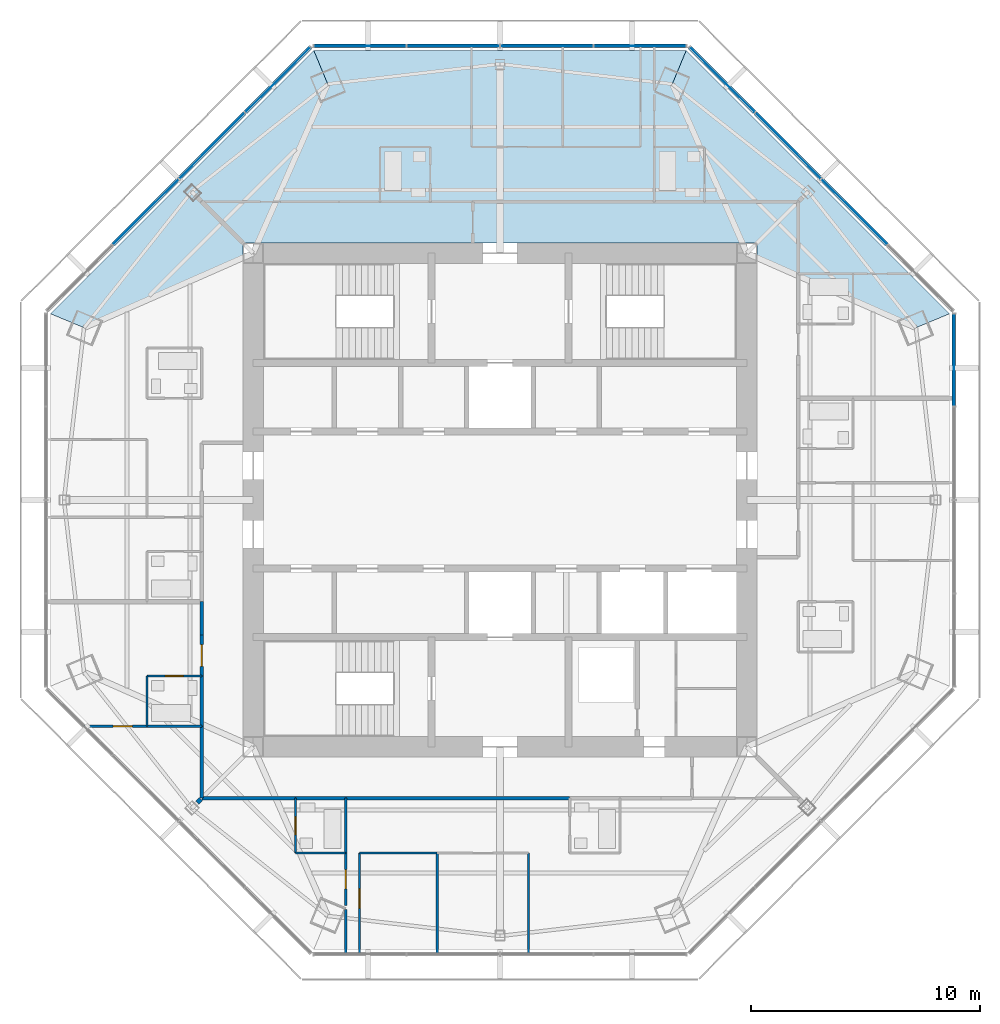
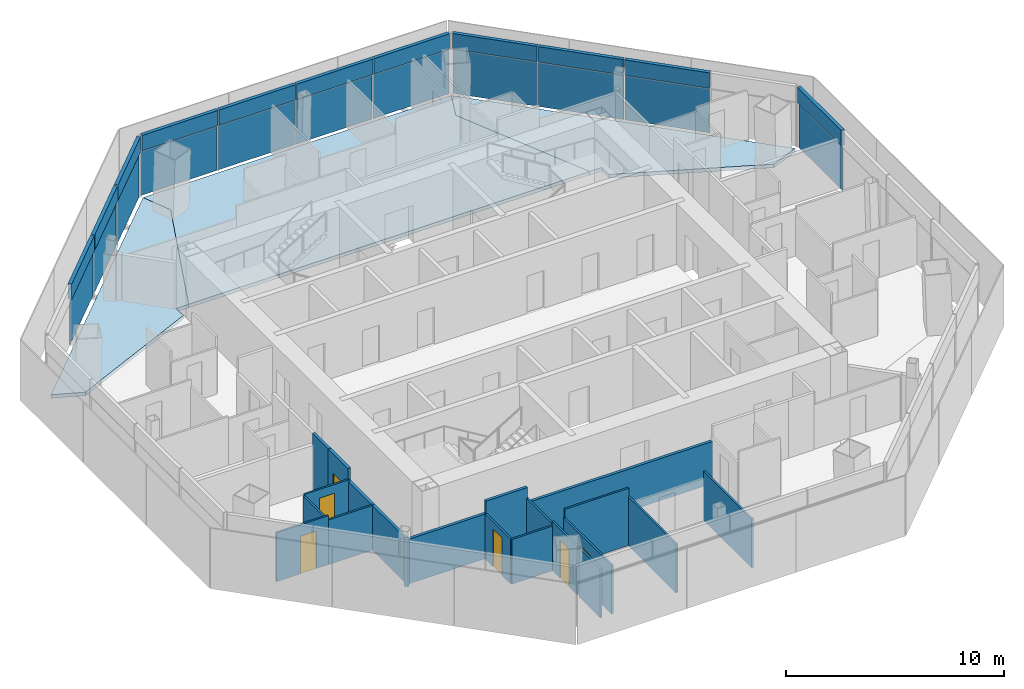
# One storey, part 8 of 14: 22 plates, 21 walls, 6 doors, 3 slabs, 6 openings, 4 elements without a shape of their own.
"""IFC4 building model written with IfcOpenShell, lengths in metres."""

from ifc_helpers import new_model, si_unit, direction, frame, frame_2d, origin, origin_2d, place, context, subcontext, project, spatial, polyline, rectangle, outline, extrude, source, transform, mapped, material, layer, layer_set, type_object, type_shapes, element, fill, aggregate, save


model = new_model("IFC4")

# Units and contexts
model_context = context("Model", 3, precision=1e-05, world=origin(), true_north=direction((0.0, 1.0)))
body_context = subcontext(model_context, "Body", "Model", "MODEL_VIEW")
ifc_project = project(units=[si_unit("LENGTHUNIT", "METRE"), si_unit("AREAUNIT", "SQUARE_METRE"), si_unit("VOLUMEUNIT", "CUBIC_METRE"), si_unit("PLANEANGLEUNIT", "RADIAN"), si_unit("MASSUNIT", "GRAM", prefix="KILO")], contexts=[model_context])

# Site, building, storey
site_placement = place(None, origin())
site = spatial("IfcSite", under=ifc_project, at=site_placement, CompositionType="ELEMENT")
building_placement = place(site_placement, origin())
building = spatial("IfcBuilding", under=site, at=building_placement, Name="Mashrafa Tower", CompositionType="ELEMENT")
storey_placement = place(building_placement, frame((0.0, 0.0, 287.800048828125)))
storey = spatial("IfcBuildingStorey", under=building, at=storey_placement, Name="L70", CompositionType="ELEMENT", Elevation=287.800048828125)

# Slabs
ifc_material_1 = material(Name="Concrete C35/45", Category="concrete")
ifc_layer_1 = layer(ifc_material_1, 0.199951171875)
ifc_layer_set_1 = layer_set([ifc_layer_1], Name="Floor slab 200")
slab_type = type_object("IfcSlabType", Name="Floor slab 200", PredefinedType="FLOOR", material=ifc_layer_set_1)
slab_1_placement = place(storey_placement, frame((0.0, 0.0, -0.199951171875)))
element("IfcSlab", 1, at=slab_1_placement, inside=storey, type_object=slab_type, Name="Floor slab L70 north-east bay", PredefinedType="FLOOR", context=body_context, shape_type="SweptSolid", body=[
    extrude(outline(polyline([(19.67333984375, 8.14892578125), (18.20068359375, 7.5390625), (11.25, 10.601806640625), (11.25, 11.25), (10.601806640625, 11.25), (7.5390625, 18.20068359375), (8.14892578125, 19.67333984375), (19.67333984375, 8.14892578125)])), origin(), (0.0, 0.0, 1.0), 0.199951171875),
])
slab_2_placement = place(storey_placement, frame((0.0, 0.0, -0.199951171875)))
element("IfcSlab", 2, at=slab_2_placement, inside=storey, type_object=slab_type, Name="Floor slab L70 north bay", PredefinedType="FLOOR", context=body_context, shape_type="SweptSolid", body=[
    extrude(outline(polyline([(-8.14892578125, 19.67333984375), (8.14892578125, 19.67333984375), (8.14892578125, 19.67333984375), (7.5390625, 18.20068359375), (10.601806640625, 11.25), (-10.601806640625, 11.25), (-7.5390625, 18.20068359375), (-8.14892578125, 19.67333984375), (-8.14892578125, 19.67333984375)])), origin(), (0.0, 0.0, 1.0), 0.199951171875),
])
slab_3_placement = place(storey_placement, frame((0.0, 0.0, -0.199951171875)))
element("IfcSlab", 3, at=slab_3_placement, inside=storey, type_object=slab_type, Name="Floor slab L70 north-west bay", PredefinedType="FLOOR", context=body_context, shape_type="SweptSolid", body=[
    extrude(outline(polyline([(-8.14892578125, 19.67333984375), (-7.5390625, 18.20068359375), (-10.601806640625, 11.25), (-11.25, 11.25), (-11.25, 10.601806640625), (-18.20068359375, 7.5390625), (-19.67333984375, 8.14892578125), (-8.14892578125, 19.67333984375)])), origin(), (0.0, 0.0, 1.0), 0.199951171875),
])

# Curtain wall, plate
ifc_material_2 = material(Name="Unitised aluminium curtain wall", Category="aluminium")
curtain_wall_type = type_object("IfcCurtainWallType", Name="Apartment curtain wall, zone 4 CW-D 160 deep", PredefinedType="NOTDEFINED", material=ifc_material_2)
curtain_wall_1_placement = place(storey_placement, origin())
curtain_wall_1 = element("IfcCurtainWall", 4, at=curtain_wall_1_placement, inside=storey, type_object=curtain_wall_type, Name="Apartment curtain wall, zone 4 L70 east", PredefinedType="NOTDEFINED")
ifc_material_3 = material(Name="Insulated double glazing, acoustic", Category="glass")
ifc_layer_2 = layer(ifc_material_3, 0.028076171875)
ifc_layer_set_2 = layer_set([ifc_layer_2], Name="Vision panel CW-D 28")
plate_type_1 = type_object("IfcPlateType", Name="Vision panel CW-D 28", PredefinedType="CURTAIN_PANEL", material=ifc_layer_set_2)
shared_shape_1 = source(origin(), body_context, "Body", "SweptSolid", [
    extrude(rectangle(XDim=4.00439453125, YDim=0.028076171875, at=origin_2d()), origin(), (0.0, 0.0, 1.0), 2.46240234375),
])
plate_1_placement = place(storey_placement, frame((19.873291015625, 6.12646484375, 0.0), z_axis=(0.0, 0.0, 1.0), x_axis=(0.0, 1.0, 0.0)))
plate_1 = element("IfcPlate", 5, at=plate_1_placement, type_object=plate_type_1, Name="CW-D vision panel 4", PredefinedType="CURTAIN_PANEL", context=body_context, shape_type="MappedRepresentation", body=[
    mapped(shared_shape_1, transform((0.0, 0.0, 0.0))),
])

curtain_wall_2_placement = place(storey_placement, origin())
curtain_wall_2 = element("IfcCurtainWall", 6, at=curtain_wall_2_placement, inside=storey, type_object=curtain_wall_type, Name="Apartment curtain wall, zone 4 L70 north-east", PredefinedType="NOTDEFINED")
plate_2_placement = place(storey_placement, frame((9.720458984375, 18.384521484375, 0.0), z_axis=(0.0, 0.0, 1.0), x_axis=(-0.707106781187, 0.707106781187, 0.0)))
plate_2 = element("IfcPlate", 7, at=plate_2_placement, type_object=plate_type_1, Name="CW-D vision panel 4", PredefinedType="CURTAIN_PANEL", context=body_context, shape_type="MappedRepresentation", body=[
    mapped(shared_shape_1, transform((0.0, 0.0, 0.0))),
])

# Curtain wall, plates
curtain_wall_3_placement = place(storey_placement, origin())
curtain_wall_3 = element("IfcCurtainWall", 8, at=curtain_wall_3_placement, inside=storey, type_object=curtain_wall_type, Name="Apartment curtain wall, zone 4 L70 north", PredefinedType="NOTDEFINED")
plate_3_placement = place(storey_placement, frame((6.12646484375, 19.873291015625, 0.0), z_axis=(0.0, 0.0, 1.0), x_axis=(-1.0, 0.0, 0.0)))
plate_3 = element("IfcPlate", 9, at=plate_3_placement, type_object=plate_type_1, Name="CW-D vision panel 1", PredefinedType="CURTAIN_PANEL", context=body_context, shape_type="MappedRepresentation", body=[
    mapped(shared_shape_1, transform((0.0, 0.0, 0.0))),
])
plate_4_placement = place(storey_placement, frame((-6.12646484375, 19.873291015625, 0.0), z_axis=(0.0, 0.0, 1.0), x_axis=(-1.0, 0.0, 0.0)))
plate_4 = element("IfcPlate", 10, at=plate_4_placement, type_object=plate_type_1, Name="CW-D vision panel 4", PredefinedType="CURTAIN_PANEL", context=body_context, shape_type="MappedRepresentation", body=[
    mapped(shared_shape_1, transform((0.0, 0.0, 0.0))),
])

# Curtain wall, plate
curtain_wall_4_placement = place(storey_placement, origin())
curtain_wall_4 = element("IfcCurtainWall", 11, at=curtain_wall_4_placement, inside=storey, type_object=curtain_wall_type, Name="Apartment curtain wall, zone 4 L70 north-west", PredefinedType="NOTDEFINED")
plate_5_placement = place(storey_placement, frame((-9.720458984375, 18.384521484375, 0.0), z_axis=(0.0, 0.0, 1.0), x_axis=(-0.707106781187, -0.707106781187, 0.0)))
plate_5 = element("IfcPlate", 12, at=plate_5_placement, type_object=plate_type_1, Name="CW-D vision panel 1", PredefinedType="CURTAIN_PANEL", context=body_context, shape_type="MappedRepresentation", body=[
    mapped(shared_shape_1, transform((0.0, 0.0, 0.0))),
])

# Plate
ifc_material_4 = material(Name="Insulated bronze aluminium spandrel panel", Category="aluminium")
ifc_layer_3 = layer(ifc_material_4, 0.179931640625)
ifc_layer_set_3 = layer_set([ifc_layer_3], Name="Spandrel panel CW-D 180")
plate_type_2 = type_object("IfcPlateType", Name="Spandrel panel CW-D 180", PredefinedType="CURTAIN_PANEL", material=ifc_layer_set_3)
shared_shape_2 = source(origin(), body_context, "Body", "SweptSolid", [
    extrude(rectangle(XDim=4.00439453125, YDim=0.179931640625, at=origin_2d()), origin(), (0.0, 0.0, 1.0), 0.862548828125),
])
plate_6_placement = place(storey_placement, frame((19.873291015625, 6.12646484375, 2.53759765625), z_axis=(0.0, 0.0, 1.0), x_axis=(0.0, 1.0, 0.0)))
plate_6 = element("IfcPlate", 13, at=plate_6_placement, type_object=plate_type_2, Name="CW-D spandrel panel 4", PredefinedType="CURTAIN_PANEL", context=body_context, shape_type="MappedRepresentation", body=[
    mapped(shared_shape_2, transform((0.0, 0.0, 0.0))),
])

aggregate(curtain_wall_1, [plate_1, plate_6])

plate_7_placement = place(storey_placement, frame((9.720458984375, 18.384521484375, 2.53759765625), z_axis=(0.0, 0.0, 1.0), x_axis=(-0.707106781187, 0.707106781187, 0.0)))
plate_7 = element("IfcPlate", 14, at=plate_7_placement, type_object=plate_type_2, Name="CW-D spandrel panel 4", PredefinedType="CURTAIN_PANEL", context=body_context, shape_type="MappedRepresentation", body=[
    mapped(shared_shape_2, transform((0.0, 0.0, 0.0))),
])

plate_8_placement = place(storey_placement, frame((6.12646484375, 19.873291015625, 2.53759765625), z_axis=(0.0, 0.0, 1.0), x_axis=(-1.0, 0.0, 0.0)))
plate_8 = element("IfcPlate", 15, at=plate_8_placement, type_object=plate_type_2, Name="CW-D spandrel panel 1", PredefinedType="CURTAIN_PANEL", context=body_context, shape_type="MappedRepresentation", body=[
    mapped(shared_shape_2, transform((0.0, 0.0, 0.0))),
])

plate_9_placement = place(storey_placement, frame((-6.12646484375, 19.873291015625, 2.53759765625), z_axis=(0.0, 0.0, 1.0), x_axis=(-1.0, 0.0, 0.0)))
plate_9 = element("IfcPlate", 16, at=plate_9_placement, type_object=plate_type_2, Name="CW-D spandrel panel 4", PredefinedType="CURTAIN_PANEL", context=body_context, shape_type="MappedRepresentation", body=[
    mapped(shared_shape_2, transform((0.0, 0.0, 0.0))),
])

plate_10_placement = place(storey_placement, frame((-9.720458984375, 18.384521484375, 2.53759765625), z_axis=(0.0, 0.0, 1.0), x_axis=(-0.707106781187, -0.707106781187, 0.0)))
plate_10 = element("IfcPlate", 17, at=plate_10_placement, type_object=plate_type_2, Name="CW-D spandrel panel 1", PredefinedType="CURTAIN_PANEL", context=body_context, shape_type="MappedRepresentation", body=[
    mapped(shared_shape_2, transform((0.0, 0.0, 0.0))),
])

shared_shape_3 = source(origin(), body_context, "Body", "SweptSolid", [
    extrude(rectangle(XDim=4.034423828125, YDim=0.028076171875, at=origin_2d()), origin(), (0.0, 0.0, 1.0), 2.46240234375),
])
type_shapes(plate_type_1, [shared_shape_1, shared_shape_3])
plate_11_placement = place(storey_placement, frame((15.5, 12.60498046875, 0.0), z_axis=(0.0, 0.0, 1.0), x_axis=(-0.707106781187, 0.707106781187, 0.0)))
plate_11 = element("IfcPlate", 18, at=plate_11_placement, type_object=plate_type_1, Name="CW-D vision panel 2", PredefinedType="CURTAIN_PANEL", context=body_context, shape_type="MappedRepresentation", body=[
    mapped(shared_shape_3, transform((0.0, 0.0, 0.0))),
])

plate_12_placement = place(storey_placement, frame((12.60498046875, 15.5, 0.0), z_axis=(0.0, 0.0, 1.0), x_axis=(-0.707106781187, 0.707106781187, 0.0)))
plate_12 = element("IfcPlate", 19, at=plate_12_placement, type_object=plate_type_1, Name="CW-D vision panel 3", PredefinedType="CURTAIN_PANEL", context=body_context, shape_type="MappedRepresentation", body=[
    mapped(shared_shape_3, transform((0.0, 0.0, 0.0))),
])

plate_13_placement = place(storey_placement, frame((2.047119140625, 19.873291015625, 0.0), z_axis=(0.0, 0.0, 1.0), x_axis=(-1.0, 0.0, 0.0)))
plate_13 = element("IfcPlate", 20, at=plate_13_placement, type_object=plate_type_1, Name="CW-D vision panel 2", PredefinedType="CURTAIN_PANEL", context=body_context, shape_type="MappedRepresentation", body=[
    mapped(shared_shape_3, transform((0.0, 0.0, 0.0))),
])

plate_14_placement = place(storey_placement, frame((-2.047119140625, 19.873291015625, 0.0), z_axis=(0.0, 0.0, 1.0), x_axis=(-1.0, 0.0, 0.0)))
plate_14 = element("IfcPlate", 21, at=plate_14_placement, type_object=plate_type_1, Name="CW-D vision panel 3", PredefinedType="CURTAIN_PANEL", context=body_context, shape_type="MappedRepresentation", body=[
    mapped(shared_shape_3, transform((0.0, 0.0, 0.0))),
])

plate_15_placement = place(storey_placement, frame((-12.60498046875, 15.5, 0.0), z_axis=(0.0, 0.0, 1.0), x_axis=(-0.707106781187, -0.707106781187, 0.0)))
plate_15 = element("IfcPlate", 22, at=plate_15_placement, type_object=plate_type_1, Name="CW-D vision panel 2", PredefinedType="CURTAIN_PANEL", context=body_context, shape_type="MappedRepresentation", body=[
    mapped(shared_shape_3, transform((0.0, 0.0, 0.0))),
])

plate_16_placement = place(storey_placement, frame((-15.5, 12.60498046875, 0.0), z_axis=(0.0, 0.0, 1.0), x_axis=(-0.707106781187, -0.707106781187, 0.0)))
plate_16 = element("IfcPlate", 23, at=plate_16_placement, type_object=plate_type_1, Name="CW-D vision panel 3", PredefinedType="CURTAIN_PANEL", context=body_context, shape_type="MappedRepresentation", body=[
    mapped(shared_shape_3, transform((0.0, 0.0, 0.0))),
])

shared_shape_4 = source(origin(), body_context, "Body", "SweptSolid", [
    extrude(rectangle(XDim=4.034423828125, YDim=0.179931640625, at=origin_2d()), origin(), (0.0, 0.0, 1.0), 0.862548828125),
])
type_shapes(plate_type_2, [shared_shape_2, shared_shape_4])
plate_17_placement = place(storey_placement, frame((15.5, 12.60498046875, 2.53759765625), z_axis=(0.0, 0.0, 1.0), x_axis=(-0.707106781187, 0.707106781187, 0.0)))
plate_17 = element("IfcPlate", 24, at=plate_17_placement, type_object=plate_type_2, Name="CW-D spandrel panel 2", PredefinedType="CURTAIN_PANEL", context=body_context, shape_type="MappedRepresentation", body=[
    mapped(shared_shape_4, transform((0.0, 0.0, 0.0))),
])

plate_18_placement = place(storey_placement, frame((12.60498046875, 15.5, 2.53759765625), z_axis=(0.0, 0.0, 1.0), x_axis=(-0.707106781187, 0.707106781187, 0.0)))
plate_18 = element("IfcPlate", 25, at=plate_18_placement, type_object=plate_type_2, Name="CW-D spandrel panel 3", PredefinedType="CURTAIN_PANEL", context=body_context, shape_type="MappedRepresentation", body=[
    mapped(shared_shape_4, transform((0.0, 0.0, 0.0))),
])

aggregate(curtain_wall_2, [plate_11, plate_17, plate_12, plate_18, plate_2, plate_7])

plate_19_placement = place(storey_placement, frame((2.047119140625, 19.873291015625, 2.53759765625), z_axis=(0.0, 0.0, 1.0), x_axis=(-1.0, 0.0, 0.0)))
plate_19 = element("IfcPlate", 26, at=plate_19_placement, type_object=plate_type_2, Name="CW-D spandrel panel 2", PredefinedType="CURTAIN_PANEL", context=body_context, shape_type="MappedRepresentation", body=[
    mapped(shared_shape_4, transform((0.0, 0.0, 0.0))),
])

plate_20_placement = place(storey_placement, frame((-2.047119140625, 19.873291015625, 2.53759765625), z_axis=(0.0, 0.0, 1.0), x_axis=(-1.0, 0.0, 0.0)))
plate_20 = element("IfcPlate", 27, at=plate_20_placement, type_object=plate_type_2, Name="CW-D spandrel panel 3", PredefinedType="CURTAIN_PANEL", context=body_context, shape_type="MappedRepresentation", body=[
    mapped(shared_shape_4, transform((0.0, 0.0, 0.0))),
])

aggregate(curtain_wall_3, [plate_3, plate_8, plate_13, plate_19, plate_14, plate_20, plate_4, plate_9])

plate_21_placement = place(storey_placement, frame((-12.60498046875, 15.5, 2.53759765625), z_axis=(0.0, 0.0, 1.0), x_axis=(-0.707106781187, -0.707106781187, 0.0)))
plate_21 = element("IfcPlate", 28, at=plate_21_placement, type_object=plate_type_2, Name="CW-D spandrel panel 2", PredefinedType="CURTAIN_PANEL", context=body_context, shape_type="MappedRepresentation", body=[
    mapped(shared_shape_4, transform((0.0, 0.0, 0.0))),
])

plate_22_placement = place(storey_placement, frame((-15.5, 12.60498046875, 2.53759765625), z_axis=(0.0, 0.0, 1.0), x_axis=(-0.707106781187, -0.707106781187, 0.0)))
plate_22 = element("IfcPlate", 29, at=plate_22_placement, type_object=plate_type_2, Name="CW-D spandrel panel 3", PredefinedType="CURTAIN_PANEL", context=body_context, shape_type="MappedRepresentation", body=[
    mapped(shared_shape_4, transform((0.0, 0.0, 0.0))),
])

aggregate(curtain_wall_4, [plate_5, plate_10, plate_15, plate_21, plate_16, plate_22])

# Walls
ifc_material_5 = material(Name="Gypsum board on steel studs", Category="steel")
ifc_layer_4 = layer(ifc_material_5, 0.199951171875)
ifc_layer_set_4 = layer_set([ifc_layer_4], Name="Acoustic partition 200 1 hr")
wall_type_1 = type_object("IfcWallType", Name="Acoustic partition 200 1 hr", PredefinedType="PARTITIONING", material=ifc_layer_set_4)
wall_1_placement = place(storey_placement, frame((-13.24609375, -13.24609375, 0.0), z_axis=(0.0, 0.0, 1.0), x_axis=(0.707106781187, 0.707106781187, 0.0)))
element("IfcWall", 30, at=wall_1_placement, inside=storey, type_object=wall_type_1, Name="Acoustic wall L70-083", PredefinedType="PARTITIONING", context=body_context, shape_type="SweptSolid", body=[
    extrude(rectangle(XDim=0.224365234375, YDim=0.199951171875, at=frame_2d((0.1123046875, 0.0))), origin(), (0.0, 0.0, 1.0), 2.590576171875),
])
ifc_material_6 = material(Name="Gypsum board on steel studs", Category="steel")
ifc_layer_5 = layer(ifc_material_6, 0.14990234375)
ifc_layer_set_5 = layer_set([ifc_layer_5], Name="Corridor partition 150 1 hr")
wall_type_2 = type_object("IfcWallType", Name="Corridor partition 150 1 hr", PredefinedType="PARTITIONING", material=ifc_layer_set_5)
wall_2_placement = place(storey_placement, frame((-13.050048828125, -9.89892578125, 0.0), z_axis=(0.0, 0.0, 1.0), x_axis=(0.0, -1.0, 0.0)))
element("IfcWall", 31, at=wall_2_placement, inside=storey, type_object=wall_type_2, Name="Corridor wall L70-017", PredefinedType="PARTITIONING", context=body_context, shape_type="SweptSolid", body=[
    extrude(rectangle(XDim=3.151123046875, YDim=0.14990234375, at=frame_2d((1.57568359375, 0.0))), origin(), (0.0, 0.0, 1.0), 2.49658203125),
])
wall_3_placement = place(storey_placement, frame((-13.050048828125, -7.698974609375, 0.0), z_axis=(0.0, 0.0, 1.0), x_axis=(0.0, -1.0, 0.0)))
element("IfcWall", 32, at=wall_3_placement, inside=storey, type_object=wall_type_2, Name="Corridor wall L70-018", PredefinedType="PARTITIONING", context=body_context, shape_type="SweptSolid", body=[
    extrude(rectangle(XDim=2.201904296875, YDim=0.14990234375, at=frame_2d((1.10107421875, 0.0))), origin(), (0.0, 0.0, 1.0), 2.49658203125),
])
wall_4_placement = place(storey_placement, frame((-13.050048828125, -4.448974609375, 0.0), z_axis=(0.0, 0.0, 1.0), x_axis=(0.0, -1.0, 0.0)))
element("IfcWall", 33, at=wall_4_placement, inside=storey, type_object=wall_type_2, Name="Corridor wall L70-019", PredefinedType="PARTITIONING", context=body_context, shape_type="SweptSolid", body=[
    extrude(rectangle(XDim=1.451904296875, YDim=0.14990234375, at=frame_2d((0.72607421875, 0.0))), origin(), (0.0, 0.0, 1.0), 3.199951171875),
])

# Wall, opening, door
wall_5_placement = place(storey_placement, frame((-13.050048828125, -5.89892578125, 0.0), z_axis=(0.0, 0.0, 1.0), x_axis=(0.0, -1.0, 0.0)))
wall_5 = element("IfcWall", 34, at=wall_5_placement, inside=storey, type_object=wall_type_2, Name="Corridor wall L70-020", PredefinedType="PARTITIONING", context=body_context, shape_type="SweptSolid", body=[
    extrude(rectangle(XDim=1.802001953125, YDim=0.14990234375, at=frame_2d((0.90087890625, 0.0))), origin(), (0.0, 0.0, 1.0), 3.199951171875),
])
opening_1_placement = place(wall_5_placement, frame((0.426025390625, 0.0, 0.0)))
opening_1 = element("IfcOpeningElement", 35, at=opening_1_placement, cuts=wall_5, Name="Opening 70.023", PredefinedType="OPENING", context=body_context, shape_type="SweptSolid", body=[
    extrude(rectangle(XDim=0.949951171875, YDim=2.10009765625, at=frame_2d((0.47509765625, 1.050048828125))), frame((0.0, 0.0849609375, 0.0), z_axis=(0.0, -1.0, 0.0), x_axis=(1.0, 0.0, 0.0)), (0.0, 0.0, 1.0), 0.169921875),
])
ifc_material_7 = material(Name="Steel door", Category="steel")
door_type_1 = type_object("IfcDoorType", Name="Residence entrance door 950 x 2100 20 min", OperationType="USERDEFINED", PredefinedType="DOOR", material=ifc_material_7)
door_1_placement = place(opening_1_placement, frame((0.949951171875, 0.0, 0.0), z_axis=(0.0, 0.0, 1.0), x_axis=(-1.0, 0.0, 0.0)))
door_1 = element("IfcDoor", 36, at=door_1_placement, inside=storey, type_object=door_type_1, Name="Apartment 7005 Living Room door", OperationType="SINGLE_SWING_RIGHT", OverallHeight=2.10009765625, OverallWidth=0.949951171875, PredefinedType="DOOR", context=body_context, shape_type="SweptSolid", body=[
    extrude(rectangle(XDim=0.949951171875, YDim=2.10009765625, at=frame_2d((0.47509765625, 1.050048828125))), frame((0.0, 0.02490234375, 0.0), z_axis=(0.0, -1.0, 0.0), x_axis=(1.0, 0.0, 0.0)), (0.0, 0.0, 1.0), 0.050048828125),
])
fill(opening_1, door_1)

# Walls
wall_6_placement = place(storey_placement, frame((-8.950927734375, -13.050048828125, 0.0), z_axis=(0.0, 0.0, 1.0), x_axis=(1.0, 0.0, 0.0)))
element("IfcWall", 37, at=wall_6_placement, inside=storey, type_object=wall_type_2, Name="Corridor wall L70-023", PredefinedType="PARTITIONING", context=body_context, shape_type="SweptSolid", body=[
    extrude(rectangle(XDim=2.201904296875, YDim=0.14990234375, at=frame_2d((1.10107421875, 0.0))), origin(), (0.0, 0.0, 1.0), 3.199951171875),
])
wall_7_placement = place(storey_placement, frame((-13.050048828125, -13.050048828125, 0.0), z_axis=(0.0, 0.0, 1.0), x_axis=(1.0, 0.0, 0.0)))
element("IfcWall", 38, at=wall_7_placement, inside=storey, type_object=wall_type_2, Name="Corridor wall L70-024", PredefinedType="PARTITIONING", context=body_context, shape_type="SweptSolid", body=[
    extrude(rectangle(XDim=4.10107421875, YDim=0.14990234375, at=frame_2d((2.050537109375, 0.0))), origin(), (0.0, 0.0, 1.0), 2.49658203125),
])
wall_8_placement = place(storey_placement, frame((-6.7509765625, -13.050048828125, 0.0), z_axis=(0.0, 0.0, 1.0), x_axis=(1.0, 0.0, 0.0)))
element("IfcWall", 39, at=wall_8_placement, inside=storey, type_object=wall_type_2, Name="Corridor wall L70-025", PredefinedType="PARTITIONING", context=body_context, shape_type="SweptSolid", body=[
    extrude(rectangle(XDim=9.802001953125, YDim=0.14990234375, at=frame_2d((4.90087890625, 0.0))), origin(), (0.0, 0.0, 1.0), 2.349365234375),
])
ifc_material_8 = material(Name="Gypsum board on steel studs", Category="steel")
ifc_layer_6 = layer(ifc_material_8, 0.10009765625)
ifc_layer_set_6 = layer_set([ifc_layer_6], Name="Partition 100")
wall_type_3 = type_object("IfcWallType", Name="Partition 100", PredefinedType="PARTITIONING", material=ifc_layer_set_6)
wall_9_placement = place(storey_placement, frame((-2.75, -19.855224609375, 0.0), z_axis=(0.0, 0.0, 1.0), x_axis=(0.0, 1.0, 0.0)))
element("IfcWall", 40, at=wall_9_placement, inside=storey, type_object=wall_type_3, Name="Partition wall L70-031", PredefinedType="PARTITIONING", context=body_context, shape_type="SweptSolid", body=[
    extrude(rectangle(XDim=4.4052734375, YDim=0.10009765625, at=frame_2d((2.20263671875, 0.0))), origin(), (0.0, 0.0, 1.0), 2.730224609375),
])
wall_10_placement = place(storey_placement, frame((-2.75, -15.449951171875, 0.0), z_axis=(0.0, 0.0, 1.0), x_axis=(-1.0, 0.0, 0.0)))
element("IfcWall", 41, at=wall_10_placement, inside=storey, type_object=wall_type_3, Name="Partition wall L70-032", PredefinedType="PARTITIONING", context=body_context, shape_type="SweptSolid", body=[
    extrude(rectangle(XDim=3.39990234375, YDim=0.10009765625, at=frame_2d((1.699951171875, 0.0))), origin(), (0.0, 0.0, 1.0), 3.199951171875),
])

# Wall, opening, door
wall_11_placement = place(storey_placement, frame((-6.14990234375, -15.449951171875, 0.0), z_axis=(0.0, 0.0, 1.0), x_axis=(0.0, -1.0, 0.0)))
wall_11 = element("IfcWall", 42, at=wall_11_placement, inside=storey, type_object=wall_type_3, Name="Partition wall L70-033", PredefinedType="PARTITIONING", context=body_context, shape_type="SweptSolid", body=[
    extrude(rectangle(XDim=4.407470703125, YDim=0.10009765625, at=frame_2d((2.20361328125, 0.0))), origin(), (0.0, 0.0, 1.0), 2.730224609375),
])
opening_2_placement = place(wall_11_placement, frame((1.5615234375, 0.0, 0.0)))
opening_2 = element("IfcOpeningElement", 43, at=opening_2_placement, cuts=wall_11, Name="Opening 70.002", PredefinedType="OPENING", context=body_context, shape_type="SweptSolid", body=[
    extrude(rectangle(XDim=0.85009765625, YDim=2.10009765625, at=frame_2d((0.425048828125, 1.050048828125))), frame((0.0, 0.06005859375, 0.0), z_axis=(0.0, -1.0, 0.0), x_axis=(1.0, 0.0, 0.0)), (0.0, 0.0, 1.0), 0.1201171875),
])
ifc_material_9 = material(Name="Timber door", Category="wood")
door_type_2 = type_object("IfcDoorType", Name="Bedroom door 850 x 2100", OperationType="USERDEFINED", PredefinedType="DOOR", material=ifc_material_9)
door_2_placement = place(opening_2_placement, origin())
door_2 = element("IfcDoor", 44, at=door_2_placement, inside=storey, type_object=door_type_2, Name="Apartment 7006 Dining Room door", OperationType="SINGLE_SWING_LEFT", OverallHeight=2.10009765625, OverallWidth=0.85009765625, PredefinedType="DOOR", context=body_context, shape_type="SweptSolid", body=[
    extrude(rectangle(XDim=0.85009765625, YDim=2.10009765625, at=frame_2d((0.425048828125, 1.050048828125))), frame((0.0, 0.02490234375, 0.0), z_axis=(0.0, -1.0, 0.0), x_axis=(1.0, 0.0, 0.0)), (0.0, 0.0, 1.0), 0.050048828125),
])
fill(opening_2, door_2)

# Wall
wall_12_placement = place(storey_placement, frame((-13.050048828125, -9.89990234375, 0.0), z_axis=(0.0, 0.0, 1.0), x_axis=(-1.0, 0.0, 0.0)))
element("IfcWall", 45, at=wall_12_placement, inside=storey, type_object=wall_type_3, Name="Partition wall L70-081", PredefinedType="PARTITIONING", context=body_context, shape_type="SweptSolid", body=[
    extrude(rectangle(XDim=2.40087890625, YDim=0.10009765625, at=frame_2d((1.200439453125, 0.0))), origin(), (0.0, 0.0, 1.0), 2.49658203125),
])

# Wall, opening, door
wall_13_placement = place(storey_placement, frame((-15.448974609375, -9.89990234375, 0.0), z_axis=(0.0, 0.0, 1.0), x_axis=(-1.0, 0.0, 0.0)))
wall_13 = element("IfcWall", 46, at=wall_13_placement, inside=storey, type_object=wall_type_3, Name="Partition wall L70-082", PredefinedType="PARTITIONING", context=body_context, shape_type="SweptSolid", body=[
    extrude(rectangle(XDim=2.734130859375, YDim=0.10009765625, at=frame_2d((1.3671875, 0.0))), origin(), (0.0, 0.0, 1.0), 2.740234375),
])
opening_3_placement = place(wall_13_placement, frame((0.634765625, 0.0, 0.0)))
opening_3 = element("IfcOpeningElement", 47, at=opening_3_placement, cuts=wall_13, Name="Opening 70.021", PredefinedType="OPENING", context=body_context, shape_type="SweptSolid", body=[
    extrude(rectangle(XDim=0.85009765625, YDim=2.10009765625, at=frame_2d((0.425048828125, 1.050048828125))), frame((0.0, 0.06005859375, 0.0), z_axis=(0.0, -1.0, 0.0), x_axis=(1.0, 0.0, 0.0)), (0.0, 0.0, 1.0), 0.1201171875),
])
door_3_placement = place(opening_3_placement, origin())
door_3 = element("IfcDoor", 48, at=door_3_placement, inside=storey, type_object=door_type_2, Name="Apartment 7005 Bedroom 1 door", OperationType="SINGLE_SWING_RIGHT", OverallHeight=2.10009765625, OverallWidth=0.85009765625, PredefinedType="DOOR", context=body_context, shape_type="SweptSolid", body=[
    extrude(rectangle(XDim=0.85009765625, YDim=2.10009765625, at=frame_2d((0.425048828125, 1.050048828125))), frame((0.0, 0.02490234375, 0.0), z_axis=(0.0, -1.0, 0.0), x_axis=(1.0, 0.0, 0.0)), (0.0, 0.0, 1.0), 0.050048828125),
])
fill(opening_3, door_3)

wall_14_placement = place(storey_placement, frame((-13.050048828125, -7.699951171875, 0.0), z_axis=(0.0, 0.0, 1.0), x_axis=(-1.0, 0.0, 0.0)))
wall_14 = element("IfcWall", 49, at=wall_14_placement, inside=storey, type_object=wall_type_3, Name="Partition wall L70-084", PredefinedType="PARTITIONING", context=body_context, shape_type="SweptSolid", body=[
    extrude(rectangle(XDim=2.39990234375, YDim=0.10009765625, at=frame_2d((1.199951171875, 0.0))), origin(), (0.0, 0.0, 1.0), 2.590576171875),
])
opening_4_placement = place(wall_14_placement, frame((0.800048828125, 0.0, 0.0)))
opening_4 = element("IfcOpeningElement", 50, at=opening_4_placement, cuts=wall_14, Name="Opening 70.022", PredefinedType="OPENING", context=body_context, shape_type="SweptSolid", body=[
    extrude(rectangle(XDim=0.800048828125, YDim=2.10009765625, at=frame_2d((0.39990234375, 1.050048828125))), frame((0.0, 0.06005859375, 0.0), z_axis=(0.0, -1.0, 0.0), x_axis=(1.0, 0.0, 0.0)), (0.0, 0.0, 1.0), 0.1201171875),
])
ifc_material_10 = material(Name="Timber door", Category="wood")
door_type_3 = type_object("IfcDoorType", Name="Bathroom door 800 x 2100", OperationType="USERDEFINED", PredefinedType="DOOR", material=ifc_material_10)
door_4_placement = place(opening_4_placement, origin())
door_4 = element("IfcDoor", 51, at=door_4_placement, inside=storey, type_object=door_type_3, Name="Apartment 7005 Bathroom door", OperationType="SINGLE_SWING_RIGHT", OverallHeight=2.10009765625, OverallWidth=0.800048828125, PredefinedType="DOOR", context=body_context, shape_type="SweptSolid", body=[
    extrude(rectangle(XDim=0.800048828125, YDim=2.10009765625, at=frame_2d((0.39990234375, 1.050048828125))), frame((0.0, 0.02490234375, 0.0), z_axis=(0.0, -1.0, 0.0), x_axis=(1.0, 0.0, 0.0)), (0.0, 0.0, 1.0), 0.050048828125),
])
fill(opening_4, door_4)

# Walls
wall_15_placement = place(storey_placement, frame((-15.449951171875, -7.699951171875, 0.0), z_axis=(0.0, 0.0, 1.0), x_axis=(0.0, -1.0, 0.0)))
element("IfcWall", 52, at=wall_15_placement, inside=storey, type_object=wall_type_3, Name="Partition wall L70-085", PredefinedType="PARTITIONING", context=body_context, shape_type="SweptSolid", body=[
    extrude(rectangle(XDim=2.199951171875, YDim=0.10009765625, at=frame_2d((1.10009765625, 0.0))), origin(), (0.0, 0.0, 1.0), 2.49658203125),
])
wall_16_placement = place(storey_placement, frame((1.25, -19.855224609375, 0.0), z_axis=(0.0, 0.0, 1.0), x_axis=(0.0, 1.0, 0.0)))
element("IfcWall", 53, at=wall_16_placement, inside=storey, type_object=wall_type_3, Name="Partition wall L70-089", PredefinedType="PARTITIONING", context=body_context, shape_type="SweptSolid", body=[
    extrude(rectangle(XDim=4.4052734375, YDim=0.10009765625, at=frame_2d((2.20263671875, 0.0))), origin(), (0.0, 0.0, 1.0), 2.730224609375),
])

# Wall, opening, door
wall_17_placement = place(storey_placement, frame((-8.949951171875, -13.050048828125, 0.0), z_axis=(0.0, 0.0, 1.0), x_axis=(0.0, -1.0, 0.0)))
wall_17 = element("IfcWall", 54, at=wall_17_placement, inside=storey, type_object=wall_type_3, Name="Partition wall L70-091", PredefinedType="PARTITIONING", context=body_context, shape_type="SweptSolid", body=[
    extrude(rectangle(XDim=2.39990234375, YDim=0.10009765625, at=frame_2d((1.199951171875, 0.0))), origin(), (0.0, 0.0, 1.0), 2.49658203125),
])
opening_5_placement = place(wall_17_placement, frame((0.800048828125, 0.0, 0.0)))
opening_5 = element("IfcOpeningElement", 55, at=opening_5_placement, cuts=wall_17, Name="Opening 70.026", PredefinedType="OPENING", context=body_context, shape_type="SweptSolid", body=[
    extrude(rectangle(XDim=0.800048828125, YDim=2.10009765625, at=frame_2d((0.39990234375, 1.050048828125))), frame((0.0, 0.06005859375, 0.0), z_axis=(0.0, -1.0, 0.0), x_axis=(1.0, 0.0, 0.0)), (0.0, 0.0, 1.0), 0.1201171875),
])
door_5_placement = place(opening_5_placement, origin())
door_5 = element("IfcDoor", 56, at=door_5_placement, inside=storey, type_object=door_type_3, Name="Apartment 7006 En-suite Bathroom door", OperationType="SINGLE_SWING_LEFT", OverallHeight=2.10009765625, OverallWidth=0.800048828125, PredefinedType="DOOR", context=body_context, shape_type="SweptSolid", body=[
    extrude(rectangle(XDim=0.800048828125, YDim=2.10009765625, at=frame_2d((0.39990234375, 1.050048828125))), frame((0.0, 0.02490234375, 0.0), z_axis=(0.0, -1.0, 0.0), x_axis=(1.0, 0.0, 0.0)), (0.0, 0.0, 1.0), 0.050048828125),
])
fill(opening_5, door_5)

# Walls
wall_18_placement = place(storey_placement, frame((-8.949951171875, -15.449951171875, 0.0), z_axis=(0.0, 0.0, 1.0), x_axis=(1.0, 0.0, 0.0)))
element("IfcWall", 57, at=wall_18_placement, inside=storey, type_object=wall_type_3, Name="Partition wall L70-092", PredefinedType="PARTITIONING", context=body_context, shape_type="SweptSolid", body=[
    extrude(rectangle(XDim=2.199951171875, YDim=0.10009765625, at=frame_2d((1.10009765625, 0.0))), origin(), (0.0, 0.0, 1.0), 2.49658203125),
])
wall_19_placement = place(storey_placement, frame((-6.75, -15.449951171875, 0.0), z_axis=(0.0, 0.0, 1.0), x_axis=(0.0, 1.0, 0.0)))
element("IfcWall", 58, at=wall_19_placement, inside=storey, type_object=wall_type_3, Name="Partition wall L70-093", PredefinedType="PARTITIONING", context=body_context, shape_type="SweptSolid", body=[
    extrude(rectangle(XDim=2.39990234375, YDim=0.10009765625, at=frame_2d((1.199951171875, 0.0))), origin(), (0.0, 0.0, 1.0), 2.590576171875),
])
wall_20_placement = place(storey_placement, frame((-6.75, -19.855224609375, 0.0), z_axis=(0.0, 0.0, 1.0), x_axis=(0.0, 1.0, 0.0)))
element("IfcWall", 59, at=wall_20_placement, inside=storey, type_object=wall_type_3, Name="Partition wall L70-094", PredefinedType="PARTITIONING", context=body_context, shape_type="SweptSolid", body=[
    extrude(rectangle(XDim=1.941650390625, YDim=0.10009765625, at=frame_2d((0.970703125, 0.0))), origin(), (0.0, 0.0, 1.0), 2.740234375),
])

# Wall, opening, door
wall_21_placement = place(storey_placement, frame((-6.75, -17.73779296875, 0.0), z_axis=(0.0, 0.0, 1.0), x_axis=(0.0, 1.0, 0.0)))
wall_21 = element("IfcWall", 60, at=wall_21_placement, inside=storey, type_object=wall_type_3, Name="Partition wall L70-095", PredefinedType="PARTITIONING", context=body_context, shape_type="SweptSolid", body=[
    extrude(rectangle(XDim=2.287841796875, YDim=0.10009765625, at=frame_2d((1.14404296875, 0.0))), origin(), (0.0, 0.0, 1.0), 2.730224609375),
])
opening_6_placement = place(wall_21_placement, frame((0.718994140625, 0.0, 0.0)))
opening_6 = element("IfcOpeningElement", 61, at=opening_6_placement, cuts=wall_21, Name="Opening 70.027", PredefinedType="OPENING", context=body_context, shape_type="SweptSolid", body=[
    extrude(rectangle(XDim=0.85009765625, YDim=2.10009765625, at=frame_2d((0.425048828125, 1.050048828125))), frame((0.0, 0.06005859375, 0.0), z_axis=(0.0, -1.0, 0.0), x_axis=(1.0, 0.0, 0.0)), (0.0, 0.0, 1.0), 0.1201171875),
])
door_6_placement = place(opening_6_placement, origin())
door_6 = element("IfcDoor", 62, at=door_6_placement, inside=storey, type_object=door_type_2, Name="Apartment 7006 Bedroom 2 door", OperationType="SINGLE_SWING_RIGHT", OverallHeight=2.10009765625, OverallWidth=0.85009765625, PredefinedType="DOOR", context=body_context, shape_type="SweptSolid", body=[
    extrude(rectangle(XDim=0.85009765625, YDim=2.10009765625, at=frame_2d((0.425048828125, 1.050048828125))), frame((0.0, 0.02490234375, 0.0), z_axis=(0.0, -1.0, 0.0), x_axis=(1.0, 0.0, 0.0)), (0.0, 0.0, 1.0), 0.050048828125),
])
fill(opening_6, door_6)

save(model, "model.ifc")
